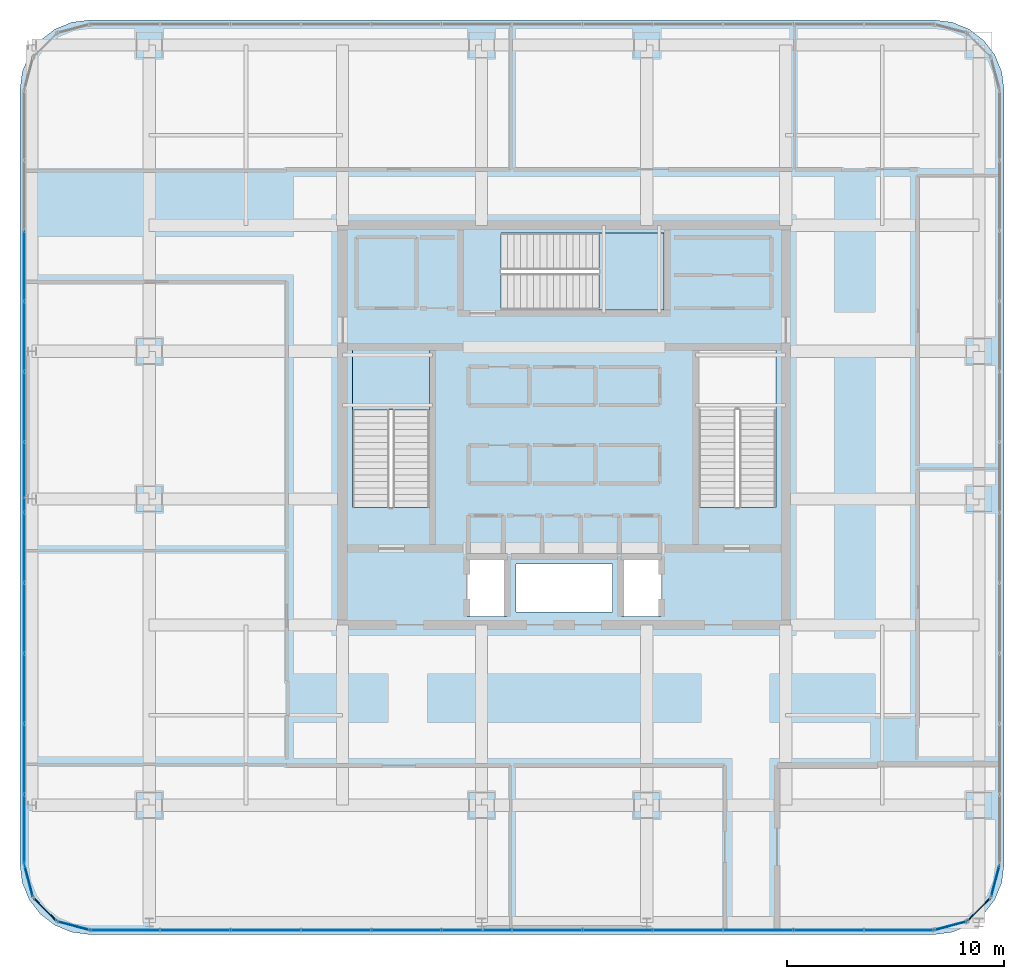
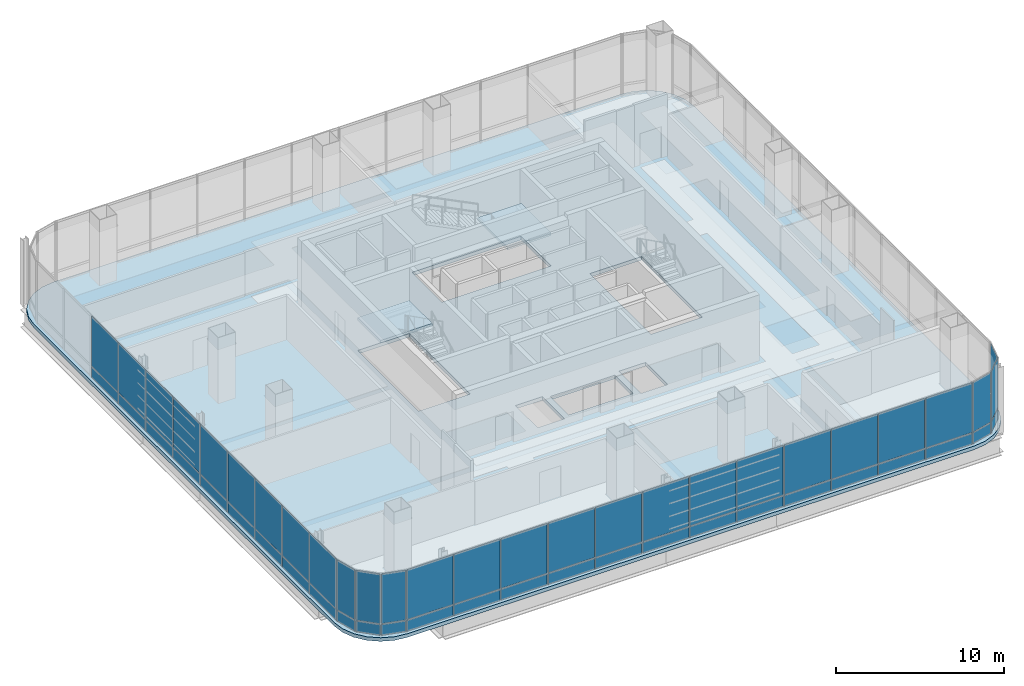
# One storey, part 34 of 45: 54 plates, 3 slabs, 10 elements without a shape of their own.
"""IFC4 building model written with IfcOpenShell, lengths in metres."""

from ifc_helpers import new_model, si_unit, direction, frame, origin, origin_2d, place, context, subcontext, project, spatial, polyline, rectangle, outline, extrude, material, layer, layer_set, type_object, element, aggregate, save


model = new_model("IFC4")

# Units and contexts
model_context = context("Model", 3, precision=1e-05, world=origin(), true_north=direction((0.0, 1.0)))
body_context = subcontext(model_context, "Body", "Model", "MODEL_VIEW")
ifc_project = project(units=[si_unit("LENGTHUNIT", "METRE"), si_unit("AREAUNIT", "SQUARE_METRE"), si_unit("VOLUMEUNIT", "CUBIC_METRE"), si_unit("PLANEANGLEUNIT", "RADIAN"), si_unit("MASSUNIT", "GRAM", prefix="KILO")], contexts=[model_context])

# Site, building, storey
site_placement = place(None, origin())
site = spatial("IfcSite", under=ifc_project, at=site_placement, CompositionType="ELEMENT")
building_placement = place(site_placement, origin())
building = spatial("IfcBuilding", under=site, at=building_placement, Name="Punatoya Terracotta Tower", CompositionType="ELEMENT")
storey_placement = place(building_placement, frame((0.0, 0.0, 339.0)))
storey = spatial("IfcBuildingStorey", under=building, at=storey_placement, Name="L80", CompositionType="ELEMENT", Elevation=339.0)

# Curtain wall, plates
ifc_material_1 = material(Name="Aluminium 6063-T6 + Double Low-E Glass", Category="aluminium")
curtain_wall_type = type_object("IfcCurtainWallType", Name="CW-OBS", PredefinedType="NOTDEFINED", material=ifc_material_1)
curtain_wall_1_placement = place(storey_placement, origin())
curtain_wall_1 = element("IfcCurtainWall", 1, at=curtain_wall_1_placement, inside=storey, type_object=curtain_wall_type, Name="L80 Curtain Wall CW-L80-S01-1", PredefinedType="NOTDEFINED")
ifc_material_2 = material(Name="Laminated Observation Low-Iron Glass", Category="glass")
ifc_layer_1 = layer(ifc_material_2, 0.0380859375)
ifc_layer_set_1 = layer_set([ifc_layer_1], Name="Laminated Observation Low-Iron Glass")
plate_type_1 = type_object("IfcPlateType", Name="PLT-GLZ-38", PredefinedType="CURTAIN_PANEL", material=ifc_layer_set_1)
plate_1_placement = place(storey_placement, frame((-20.21728515625, -23.25, 0.89013671875), z_axis=(0.0, 0.0, 1.0), x_axis=(1.0, 0.0, 0.0)))
plate_1 = element("IfcPlate", 2, at=plate_1_placement, type_object=plate_type_1, Name="CW-L80-S01-1 Vision Glass Panel 1", PredefinedType="CURTAIN_PANEL", context=body_context, shape_type="SweptSolid", body=[
    extrude(rectangle(XDim=3.154541015625, YDim=0.0380859375, at=origin_2d()), origin(), (0.0, 0.0, 1.0), 3.590087890625),
])
plate_2_placement = place(storey_placement, frame((-16.977783203125, -23.25, 0.89013671875), z_axis=(0.0, 0.0, 1.0), x_axis=(1.0, 0.0, 0.0)))
plate_2 = element("IfcPlate", 3, at=plate_2_placement, type_object=plate_type_1, Name="CW-L80-S01-1 Vision Glass Panel 2", PredefinedType="CURTAIN_PANEL", context=body_context, shape_type="SweptSolid", body=[
    extrude(rectangle(XDim=3.154541015625, YDim=0.0380859375, at=origin_2d()), origin(), (0.0, 0.0, 1.0), 3.590087890625),
])
plate_3_placement = place(storey_placement, frame((-13.73828125, -23.25, 0.89013671875), z_axis=(0.0, 0.0, 1.0), x_axis=(1.0, 0.0, 0.0)))
plate_3 = element("IfcPlate", 4, at=plate_3_placement, type_object=plate_type_1, Name="CW-L80-S01-1 Vision Glass Panel 3", PredefinedType="CURTAIN_PANEL", context=body_context, shape_type="SweptSolid", body=[
    extrude(rectangle(XDim=3.154541015625, YDim=0.0380859375, at=origin_2d()), origin(), (0.0, 0.0, 1.0), 3.590087890625),
])
plate_4_placement = place(storey_placement, frame((-10.498779296875, -23.25, 0.89013671875), z_axis=(0.0, 0.0, 1.0), x_axis=(1.0, 0.0, 0.0)))
plate_4 = element("IfcPlate", 5, at=plate_4_placement, type_object=plate_type_1, Name="CW-L80-S01-1 Vision Glass Panel 4", PredefinedType="CURTAIN_PANEL", context=body_context, shape_type="SweptSolid", body=[
    extrude(rectangle(XDim=3.154541015625, YDim=0.0380859375, at=origin_2d()), origin(), (0.0, 0.0, 1.0), 3.590087890625),
])
plate_5_placement = place(storey_placement, frame((-7.25927734375, -23.25, 0.89013671875), z_axis=(0.0, 0.0, 1.0), x_axis=(1.0, 0.0, 0.0)))
plate_5 = element("IfcPlate", 6, at=plate_5_placement, type_object=plate_type_1, Name="CW-L80-S01-1 Vision Glass Panel 5", PredefinedType="CURTAIN_PANEL", context=body_context, shape_type="SweptSolid", body=[
    extrude(rectangle(XDim=3.154541015625, YDim=0.0380859375, at=origin_2d()), origin(), (0.0, 0.0, 1.0), 3.590087890625),
])
plate_6_placement = place(storey_placement, frame((-4.019775390625, -23.25, 0.89013671875), z_axis=(0.0, 0.0, 1.0), x_axis=(1.0, 0.0, 0.0)))
plate_6 = element("IfcPlate", 7, at=plate_6_placement, type_object=plate_type_1, Name="CW-L80-S01-1 Vision Glass Panel 6", PredefinedType="CURTAIN_PANEL", context=body_context, shape_type="SweptSolid", body=[
    extrude(rectangle(XDim=3.154541015625, YDim=0.0380859375, at=origin_2d()), origin(), (0.0, 0.0, 1.0), 3.590087890625),
])
plate_7_placement = place(storey_placement, frame((-0.7802734375, -23.25, 0.89013671875), z_axis=(0.0, 0.0, 1.0), x_axis=(1.0, 0.0, 0.0)))
plate_7 = element("IfcPlate", 8, at=plate_7_placement, type_object=plate_type_1, Name="CW-L80-S01-1 Vision Glass Panel 7", PredefinedType="CURTAIN_PANEL", context=body_context, shape_type="SweptSolid", body=[
    extrude(rectangle(XDim=3.154541015625, YDim=0.0380859375, at=origin_2d()), origin(), (0.0, 0.0, 1.0), 3.590087890625),
])
plate_8_placement = place(storey_placement, frame((2.459228515625, -23.25, 0.89013671875), z_axis=(0.0, 0.0, 1.0), x_axis=(1.0, 0.0, 0.0)))
plate_8 = element("IfcPlate", 9, at=plate_8_placement, type_object=plate_type_1, Name="CW-L80-S01-1 Vision Glass Panel 8", PredefinedType="CURTAIN_PANEL", context=body_context, shape_type="SweptSolid", body=[
    extrude(rectangle(XDim=3.154541015625, YDim=0.0380859375, at=origin_2d()), origin(), (0.0, 0.0, 1.0), 3.590087890625),
])
plate_9_placement = place(storey_placement, frame((5.69873046875, -23.25, 0.89013671875), z_axis=(0.0, 0.0, 1.0), x_axis=(1.0, 0.0, 0.0)))
plate_9 = element("IfcPlate", 10, at=plate_9_placement, type_object=plate_type_1, Name="CW-L80-S01-1 Vision Glass Panel 9", PredefinedType="CURTAIN_PANEL", context=body_context, shape_type="SweptSolid", body=[
    extrude(rectangle(XDim=3.154541015625, YDim=0.0380859375, at=origin_2d()), origin(), (0.0, 0.0, 1.0), 3.590087890625),
])
plate_10_placement = place(storey_placement, frame((8.938232421875, -23.25, 0.89013671875), z_axis=(0.0, 0.0, 1.0), x_axis=(1.0, 0.0, 0.0)))
plate_10 = element("IfcPlate", 11, at=plate_10_placement, type_object=plate_type_1, Name="CW-L80-S01-1 Vision Glass Panel 10", PredefinedType="CURTAIN_PANEL", context=body_context, shape_type="SweptSolid", body=[
    extrude(rectangle(XDim=3.154541015625, YDim=0.0380859375, at=origin_2d()), origin(), (0.0, 0.0, 1.0), 3.590087890625),
])
plate_11_placement = place(storey_placement, frame((12.177734375, -23.25, 0.89013671875), z_axis=(0.0, 0.0, 1.0), x_axis=(1.0, 0.0, 0.0)))
plate_11 = element("IfcPlate", 12, at=plate_11_placement, type_object=plate_type_1, Name="CW-L80-S01-1 Vision Glass Panel 11", PredefinedType="CURTAIN_PANEL", context=body_context, shape_type="SweptSolid", body=[
    extrude(rectangle(XDim=3.154541015625, YDim=0.0380859375, at=origin_2d()), origin(), (0.0, 0.0, 1.0), 3.590087890625),
])
plate_12_placement = place(storey_placement, frame((15.417236328125, -23.25, 0.89013671875), z_axis=(0.0, 0.0, 1.0), x_axis=(1.0, 0.0, 0.0)))
plate_12 = element("IfcPlate", 13, at=plate_12_placement, type_object=plate_type_1, Name="CW-L80-S01-1 Vision Glass Panel 12", PredefinedType="CURTAIN_PANEL", context=body_context, shape_type="SweptSolid", body=[
    extrude(rectangle(XDim=3.154541015625, YDim=0.0380859375, at=origin_2d()), origin(), (0.0, 0.0, 1.0), 3.590087890625),
])

# Curtain wall, plate
curtain_wall_2_placement = place(storey_placement, origin())
curtain_wall_2 = element("IfcCurtainWall", 14, at=curtain_wall_2_placement, inside=storey, type_object=curtain_wall_type, Name="L80 Curtain Wall CW-L80-CRN02", PredefinedType="NOTDEFINED")
plate_13_placement = place(storey_placement, frame((17.79296875, -23.04833984375, 0.89013671875), z_axis=(0.0, 0.0, 1.0), x_axis=(0.966213877436, 0.257741620719, 0.0)))
plate_13 = element("IfcPlate", 15, at=plate_13_placement, type_object=plate_type_1, Name="CW-L80-CRN02 Vision Glass Panel 1", PredefinedType="CURTAIN_PANEL", context=body_context, shape_type="SweptSolid", body=[
    extrude(rectangle(XDim=1.47998046875, YDim=0.0380859375, at=origin_2d()), origin(), (0.0, 0.0, 1.0), 3.590087890625),
])

curtain_wall_3_placement = place(storey_placement, origin())
curtain_wall_3 = element("IfcCurtainWall", 16, at=curtain_wall_3_placement, inside=storey, type_object=curtain_wall_type, Name="L80 Curtain Wall CW-L80-CRN03", PredefinedType="NOTDEFINED")
plate_14_placement = place(storey_placement, frame((19.097900390625, -22.2978515625, 0.89013671875), z_axis=(0.0, 0.0, 1.0), x_axis=(0.707106781187, 0.707106781187, 0.0)))
plate_14 = element("IfcPlate", 17, at=plate_14_placement, type_object=plate_type_1, Name="CW-L80-CRN03 Vision Glass Panel 1", PredefinedType="CURTAIN_PANEL", context=body_context, shape_type="SweptSolid", body=[
    extrude(rectangle(XDim=1.467041015625, YDim=0.0380859375, at=origin_2d()), origin(), (0.0, 0.0, 1.0), 3.590087890625),
])

curtain_wall_4_placement = place(storey_placement, origin())
curtain_wall_4 = element("IfcCurtainWall", 18, at=curtain_wall_4_placement, inside=storey, type_object=curtain_wall_type, Name="L80 Curtain Wall CW-L80-CRN04", PredefinedType="NOTDEFINED")
plate_15_placement = place(storey_placement, frame((19.848388671875, -20.992919921875, 0.89013671875), z_axis=(0.0, 0.0, 1.0), x_axis=(0.257741620719, 0.966213877436, 0.0)))
plate_15 = element("IfcPlate", 19, at=plate_15_placement, type_object=plate_type_1, Name="CW-L80-CRN04 Vision Glass Panel 1", PredefinedType="CURTAIN_PANEL", context=body_context, shape_type="SweptSolid", body=[
    extrude(rectangle(XDim=1.47998046875, YDim=0.0380859375, at=origin_2d()), origin(), (0.0, 0.0, 1.0), 3.590087890625),
])

# Curtain wall, plates
curtain_wall_5_placement = place(storey_placement, origin())
curtain_wall_5 = element("IfcCurtainWall", 20, at=curtain_wall_5_placement, inside=storey, type_object=curtain_wall_type, Name="L80 Curtain Wall CW-L80-W13-1", PredefinedType="NOTDEFINED")
plate_16_placement = place(storey_placement, frame((-24.85009765625, 7.3291015625, 0.89013671875), z_axis=(0.0, 0.0, 1.0), x_axis=(0.0, -1.0, 0.0)))
plate_16 = element("IfcPlate", 21, at=plate_16_placement, type_object=plate_type_1, Name="CW-L80-W13-1 Vision Glass Panel 3", PredefinedType="CURTAIN_PANEL", context=body_context, shape_type="SweptSolid", body=[
    extrude(rectangle(XDim=3.158203125, YDim=0.0380859375, at=origin_2d()), origin(), (0.0, 0.0, 1.0), 3.590087890625),
])
plate_17_placement = place(storey_placement, frame((-24.85009765625, 4.086181640625, 0.89013671875), z_axis=(0.0, 0.0, 1.0), x_axis=(0.0, -1.0, 0.0)))
plate_17 = element("IfcPlate", 22, at=plate_17_placement, type_object=plate_type_1, Name="CW-L80-W13-1 Vision Glass Panel 4", PredefinedType="CURTAIN_PANEL", context=body_context, shape_type="SweptSolid", body=[
    extrude(rectangle(XDim=3.158203125, YDim=0.0380859375, at=origin_2d()), origin(), (0.0, 0.0, 1.0), 3.590087890625),
])
plate_18_placement = place(storey_placement, frame((-24.85009765625, 0.843017578125, 0.89013671875), z_axis=(0.0, 0.0, 1.0), x_axis=(0.0, -1.0, 0.0)))
plate_18 = element("IfcPlate", 23, at=plate_18_placement, type_object=plate_type_1, Name="CW-L80-W13-1 Vision Glass Panel 5", PredefinedType="CURTAIN_PANEL", context=body_context, shape_type="SweptSolid", body=[
    extrude(rectangle(XDim=3.158203125, YDim=0.0380859375, at=origin_2d()), origin(), (0.0, 0.0, 1.0), 3.590087890625),
])
plate_19_placement = place(storey_placement, frame((-24.85009765625, -2.39990234375, 0.89013671875), z_axis=(0.0, 0.0, 1.0), x_axis=(0.0, -1.0, 0.0)))
plate_19 = element("IfcPlate", 24, at=plate_19_placement, type_object=plate_type_1, Name="CW-L80-W13-1 Vision Glass Panel 6", PredefinedType="CURTAIN_PANEL", context=body_context, shape_type="SweptSolid", body=[
    extrude(rectangle(XDim=3.158203125, YDim=0.0380859375, at=origin_2d()), origin(), (0.0, 0.0, 1.0), 3.590087890625),
])
plate_20_placement = place(storey_placement, frame((-24.85009765625, -5.64306640625, 0.89013671875), z_axis=(0.0, 0.0, 1.0), x_axis=(0.0, -1.0, 0.0)))
plate_20 = element("IfcPlate", 25, at=plate_20_placement, type_object=plate_type_1, Name="CW-L80-W13-1 Vision Glass Panel 7", PredefinedType="CURTAIN_PANEL", context=body_context, shape_type="SweptSolid", body=[
    extrude(rectangle(XDim=3.158203125, YDim=0.0380859375, at=origin_2d()), origin(), (0.0, 0.0, 1.0), 3.590087890625),
])
plate_21_placement = place(storey_placement, frame((-24.85009765625, -8.885986328125, 0.89013671875), z_axis=(0.0, 0.0, 1.0), x_axis=(0.0, -1.0, 0.0)))
plate_21 = element("IfcPlate", 26, at=plate_21_placement, type_object=plate_type_1, Name="CW-L80-W13-1 Vision Glass Panel 8", PredefinedType="CURTAIN_PANEL", context=body_context, shape_type="SweptSolid", body=[
    extrude(rectangle(XDim=3.158203125, YDim=0.0380859375, at=origin_2d()), origin(), (0.0, 0.0, 1.0), 3.590087890625),
])
plate_22_placement = place(storey_placement, frame((-24.85009765625, -12.129150390625, 0.89013671875), z_axis=(0.0, 0.0, 1.0), x_axis=(0.0, -1.0, 0.0)))
plate_22 = element("IfcPlate", 27, at=plate_22_placement, type_object=plate_type_1, Name="CW-L80-W13-1 Vision Glass Panel 9", PredefinedType="CURTAIN_PANEL", context=body_context, shape_type="SweptSolid", body=[
    extrude(rectangle(XDim=3.158203125, YDim=0.0380859375, at=origin_2d()), origin(), (0.0, 0.0, 1.0), 3.590087890625),
])
plate_23_placement = place(storey_placement, frame((-24.85009765625, -15.372314453125, 0.89013671875), z_axis=(0.0, 0.0, 1.0), x_axis=(0.0, -1.0, 0.0)))
plate_23 = element("IfcPlate", 28, at=plate_23_placement, type_object=plate_type_1, Name="CW-L80-W13-1 Vision Glass Panel 10", PredefinedType="CURTAIN_PANEL", context=body_context, shape_type="SweptSolid", body=[
    extrude(rectangle(XDim=3.158203125, YDim=0.0380859375, at=origin_2d()), origin(), (0.0, 0.0, 1.0), 3.590087890625),
])
plate_24_placement = place(storey_placement, frame((-24.85009765625, -18.615478515625, 0.89013671875), z_axis=(0.0, 0.0, 1.0), x_axis=(0.0, -1.0, 0.0)))
plate_24 = element("IfcPlate", 29, at=plate_24_placement, type_object=plate_type_1, Name="CW-L80-W13-1 Vision Glass Panel 11", PredefinedType="CURTAIN_PANEL", context=body_context, shape_type="SweptSolid", body=[
    extrude(rectangle(XDim=3.158203125, YDim=0.0380859375, at=origin_2d()), origin(), (0.0, 0.0, 1.0), 3.590087890625),
])

# Curtain wall, plate
curtain_wall_6_placement = place(storey_placement, origin())
curtain_wall_6 = element("IfcCurtainWall", 30, at=curtain_wall_6_placement, inside=storey, type_object=curtain_wall_type, Name="L80 Curtain Wall CW-L80-CRN14", PredefinedType="NOTDEFINED")
plate_25_placement = place(storey_placement, frame((-24.648193359375, -20.992919921875, 0.89013671875), z_axis=(0.0, 0.0, 1.0), x_axis=(0.257741620719, -0.966213877436, 0.0)))
plate_25 = element("IfcPlate", 31, at=plate_25_placement, type_object=plate_type_1, Name="CW-L80-CRN14 Vision Glass Panel 1", PredefinedType="CURTAIN_PANEL", context=body_context, shape_type="SweptSolid", body=[
    extrude(rectangle(XDim=1.47998046875, YDim=0.0380859375, at=origin_2d()), origin(), (0.0, 0.0, 1.0), 3.590087890625),
])

curtain_wall_7_placement = place(storey_placement, origin())
curtain_wall_7 = element("IfcCurtainWall", 32, at=curtain_wall_7_placement, inside=storey, type_object=curtain_wall_type, Name="L80 Curtain Wall CW-L80-CRN15", PredefinedType="NOTDEFINED")
plate_26_placement = place(storey_placement, frame((-23.89794921875, -22.2978515625, 0.89013671875), z_axis=(0.0, 0.0, 1.0), x_axis=(0.707106781187, -0.707106781187, 0.0)))
plate_26 = element("IfcPlate", 33, at=plate_26_placement, type_object=plate_type_1, Name="CW-L80-CRN15 Vision Glass Panel 1", PredefinedType="CURTAIN_PANEL", context=body_context, shape_type="SweptSolid", body=[
    extrude(rectangle(XDim=1.467041015625, YDim=0.0380859375, at=origin_2d()), origin(), (0.0, 0.0, 1.0), 3.590087890625),
])

curtain_wall_8_placement = place(storey_placement, origin())
curtain_wall_8 = element("IfcCurtainWall", 34, at=curtain_wall_8_placement, inside=storey, type_object=curtain_wall_type, Name="L80 Curtain Wall CW-L80-CRN16", PredefinedType="NOTDEFINED")
plate_27_placement = place(storey_placement, frame((-22.593017578125, -23.04833984375, 0.89013671875), z_axis=(0.0, 0.0, 1.0), x_axis=(0.966213877436, -0.257741620719, 0.0)))
plate_27 = element("IfcPlate", 35, at=plate_27_placement, type_object=plate_type_1, Name="CW-L80-CRN16 Vision Glass Panel 1", PredefinedType="CURTAIN_PANEL", context=body_context, shape_type="SweptSolid", body=[
    extrude(rectangle(XDim=1.47998046875, YDim=0.0380859375, at=origin_2d()), origin(), (0.0, 0.0, 1.0), 3.590087890625),
])

# Plate
ifc_material_3 = material(Name="Insulated Terracotta-Backed Spandrel Panel", Category="masonry")
ifc_layer_2 = layer(ifc_material_3, 0.044921875)
ifc_layer_set_2 = layer_set([ifc_layer_2], Name="Insulated Terracotta-Backed Spandrel Panel")
plate_type_2 = type_object("IfcPlateType", Name="PLT-SPN-45", PredefinedType="CURTAIN_PANEL", material=ifc_layer_set_2)
plate_28_placement = place(storey_placement, frame((-20.21728515625, -23.25, 0.0400390625), z_axis=(0.0, 0.0, 1.0), x_axis=(1.0, 0.0, 0.0)))
plate_28 = element("IfcPlate", 36, at=plate_28_placement, type_object=plate_type_2, Name="CW-L80-S01-1 Terracotta Spandrel Panel 1", PredefinedType="CURTAIN_PANEL", context=body_context, shape_type="SweptSolid", body=[
    extrude(rectangle(XDim=3.154541015625, YDim=0.044921875, at=origin_2d()), origin(), (0.0, 0.0, 1.0), 0.77490234375),
])

plate_29_placement = place(storey_placement, frame((-16.977783203125, -23.25, 0.0400390625), z_axis=(0.0, 0.0, 1.0), x_axis=(1.0, 0.0, 0.0)))
plate_29 = element("IfcPlate", 37, at=plate_29_placement, type_object=plate_type_2, Name="CW-L80-S01-1 Terracotta Spandrel Panel 2", PredefinedType="CURTAIN_PANEL", context=body_context, shape_type="SweptSolid", body=[
    extrude(rectangle(XDim=3.154541015625, YDim=0.044921875, at=origin_2d()), origin(), (0.0, 0.0, 1.0), 0.77490234375),
])

plate_30_placement = place(storey_placement, frame((-13.73828125, -23.25, 0.0400390625), z_axis=(0.0, 0.0, 1.0), x_axis=(1.0, 0.0, 0.0)))
plate_30 = element("IfcPlate", 38, at=plate_30_placement, type_object=plate_type_2, Name="CW-L80-S01-1 Terracotta Spandrel Panel 3", PredefinedType="CURTAIN_PANEL", context=body_context, shape_type="SweptSolid", body=[
    extrude(rectangle(XDim=3.154541015625, YDim=0.044921875, at=origin_2d()), origin(), (0.0, 0.0, 1.0), 0.77490234375),
])

plate_31_placement = place(storey_placement, frame((-10.498779296875, -23.25, 0.0400390625), z_axis=(0.0, 0.0, 1.0), x_axis=(1.0, 0.0, 0.0)))
plate_31 = element("IfcPlate", 39, at=plate_31_placement, type_object=plate_type_2, Name="CW-L80-S01-1 Terracotta Spandrel Panel 4", PredefinedType="CURTAIN_PANEL", context=body_context, shape_type="SweptSolid", body=[
    extrude(rectangle(XDim=3.154541015625, YDim=0.044921875, at=origin_2d()), origin(), (0.0, 0.0, 1.0), 0.77490234375),
])

plate_32_placement = place(storey_placement, frame((-7.25927734375, -23.25, 0.0400390625), z_axis=(0.0, 0.0, 1.0), x_axis=(1.0, 0.0, 0.0)))
plate_32 = element("IfcPlate", 40, at=plate_32_placement, type_object=plate_type_2, Name="CW-L80-S01-1 Terracotta Spandrel Panel 5", PredefinedType="CURTAIN_PANEL", context=body_context, shape_type="SweptSolid", body=[
    extrude(rectangle(XDim=3.154541015625, YDim=0.044921875, at=origin_2d()), origin(), (0.0, 0.0, 1.0), 0.77490234375),
])

plate_33_placement = place(storey_placement, frame((-4.019775390625, -23.25, 0.0400390625), z_axis=(0.0, 0.0, 1.0), x_axis=(1.0, 0.0, 0.0)))
plate_33 = element("IfcPlate", 41, at=plate_33_placement, type_object=plate_type_2, Name="CW-L80-S01-1 Terracotta Spandrel Panel 6", PredefinedType="CURTAIN_PANEL", context=body_context, shape_type="SweptSolid", body=[
    extrude(rectangle(XDim=3.154541015625, YDim=0.044921875, at=origin_2d()), origin(), (0.0, 0.0, 1.0), 0.77490234375),
])

plate_34_placement = place(storey_placement, frame((-0.7802734375, -23.25, 0.0400390625), z_axis=(0.0, 0.0, 1.0), x_axis=(1.0, 0.0, 0.0)))
plate_34 = element("IfcPlate", 42, at=plate_34_placement, type_object=plate_type_2, Name="CW-L80-S01-1 Terracotta Spandrel Panel 7", PredefinedType="CURTAIN_PANEL", context=body_context, shape_type="SweptSolid", body=[
    extrude(rectangle(XDim=3.154541015625, YDim=0.044921875, at=origin_2d()), origin(), (0.0, 0.0, 1.0), 0.77490234375),
])

plate_35_placement = place(storey_placement, frame((2.459228515625, -23.25, 0.0400390625), z_axis=(0.0, 0.0, 1.0), x_axis=(1.0, 0.0, 0.0)))
plate_35 = element("IfcPlate", 43, at=plate_35_placement, type_object=plate_type_2, Name="CW-L80-S01-1 Terracotta Spandrel Panel 8", PredefinedType="CURTAIN_PANEL", context=body_context, shape_type="SweptSolid", body=[
    extrude(rectangle(XDim=3.154541015625, YDim=0.044921875, at=origin_2d()), origin(), (0.0, 0.0, 1.0), 0.77490234375),
])

plate_36_placement = place(storey_placement, frame((5.69873046875, -23.25, 0.0400390625), z_axis=(0.0, 0.0, 1.0), x_axis=(1.0, 0.0, 0.0)))
plate_36 = element("IfcPlate", 44, at=plate_36_placement, type_object=plate_type_2, Name="CW-L80-S01-1 Terracotta Spandrel Panel 9", PredefinedType="CURTAIN_PANEL", context=body_context, shape_type="SweptSolid", body=[
    extrude(rectangle(XDim=3.154541015625, YDim=0.044921875, at=origin_2d()), origin(), (0.0, 0.0, 1.0), 0.77490234375),
])

plate_37_placement = place(storey_placement, frame((8.938232421875, -23.25, 0.0400390625), z_axis=(0.0, 0.0, 1.0), x_axis=(1.0, 0.0, 0.0)))
plate_37 = element("IfcPlate", 45, at=plate_37_placement, type_object=plate_type_2, Name="CW-L80-S01-1 Terracotta Spandrel Panel 10", PredefinedType="CURTAIN_PANEL", context=body_context, shape_type="SweptSolid", body=[
    extrude(rectangle(XDim=3.154541015625, YDim=0.044921875, at=origin_2d()), origin(), (0.0, 0.0, 1.0), 0.77490234375),
])

plate_38_placement = place(storey_placement, frame((12.177734375, -23.25, 0.0400390625), z_axis=(0.0, 0.0, 1.0), x_axis=(1.0, 0.0, 0.0)))
plate_38 = element("IfcPlate", 46, at=plate_38_placement, type_object=plate_type_2, Name="CW-L80-S01-1 Terracotta Spandrel Panel 11", PredefinedType="CURTAIN_PANEL", context=body_context, shape_type="SweptSolid", body=[
    extrude(rectangle(XDim=3.154541015625, YDim=0.044921875, at=origin_2d()), origin(), (0.0, 0.0, 1.0), 0.77490234375),
])

plate_39_placement = place(storey_placement, frame((15.417236328125, -23.25, 0.0400390625), z_axis=(0.0, 0.0, 1.0), x_axis=(1.0, 0.0, 0.0)))
plate_39 = element("IfcPlate", 47, at=plate_39_placement, type_object=plate_type_2, Name="CW-L80-S01-1 Terracotta Spandrel Panel 12", PredefinedType="CURTAIN_PANEL", context=body_context, shape_type="SweptSolid", body=[
    extrude(rectangle(XDim=3.154541015625, YDim=0.044921875, at=origin_2d()), origin(), (0.0, 0.0, 1.0), 0.77490234375),
])

aggregate(curtain_wall_1, [plate_28, plate_1, plate_29, plate_2, plate_30, plate_3, plate_31, plate_4, plate_32, plate_5, plate_33, plate_6, plate_34, plate_7, plate_35, plate_8, plate_36, plate_9, plate_37, plate_10, plate_38, plate_11, plate_39, plate_12])

plate_40_placement = place(storey_placement, frame((17.79296875, -23.04833984375, 0.0400390625), z_axis=(0.0, 0.0, 1.0), x_axis=(0.966213877436, 0.257741620719, 0.0)))
plate_40 = element("IfcPlate", 48, at=plate_40_placement, type_object=plate_type_2, Name="CW-L80-CRN02 Terracotta Spandrel Panel 1", PredefinedType="CURTAIN_PANEL", context=body_context, shape_type="SweptSolid", body=[
    extrude(rectangle(XDim=1.47998046875, YDim=0.044921875, at=origin_2d()), origin(), (0.0, 0.0, 1.0), 0.77490234375),
])

aggregate(curtain_wall_2, [plate_40, plate_13])

plate_41_placement = place(storey_placement, frame((19.097900390625, -22.2978515625, 0.0400390625), z_axis=(0.0, 0.0, 1.0), x_axis=(0.707106781187, 0.707106781187, 0.0)))
plate_41 = element("IfcPlate", 49, at=plate_41_placement, type_object=plate_type_2, Name="CW-L80-CRN03 Terracotta Spandrel Panel 1", PredefinedType="CURTAIN_PANEL", context=body_context, shape_type="SweptSolid", body=[
    extrude(rectangle(XDim=1.467041015625, YDim=0.044921875, at=origin_2d()), origin(), (0.0, 0.0, 1.0), 0.77490234375),
])

aggregate(curtain_wall_3, [plate_41, plate_14])

plate_42_placement = place(storey_placement, frame((19.848388671875, -20.992919921875, 0.0400390625), z_axis=(0.0, 0.0, 1.0), x_axis=(0.257741620719, 0.966213877436, 0.0)))
plate_42 = element("IfcPlate", 50, at=plate_42_placement, type_object=plate_type_2, Name="CW-L80-CRN04 Terracotta Spandrel Panel 1", PredefinedType="CURTAIN_PANEL", context=body_context, shape_type="SweptSolid", body=[
    extrude(rectangle(XDim=1.47998046875, YDim=0.044921875, at=origin_2d()), origin(), (0.0, 0.0, 1.0), 0.77490234375),
])

aggregate(curtain_wall_4, [plate_42, plate_15])

plate_43_placement = place(storey_placement, frame((-24.85009765625, 7.3291015625, 0.0400390625), z_axis=(0.0, 0.0, 1.0), x_axis=(0.0, -1.0, 0.0)))
plate_43 = element("IfcPlate", 51, at=plate_43_placement, type_object=plate_type_2, Name="CW-L80-W13-1 Terracotta Spandrel Panel 3", PredefinedType="CURTAIN_PANEL", context=body_context, shape_type="SweptSolid", body=[
    extrude(rectangle(XDim=3.158203125, YDim=0.044921875, at=origin_2d()), origin(), (0.0, 0.0, 1.0), 0.77490234375),
])

plate_44_placement = place(storey_placement, frame((-24.85009765625, 4.086181640625, 0.0400390625), z_axis=(0.0, 0.0, 1.0), x_axis=(0.0, -1.0, 0.0)))
plate_44 = element("IfcPlate", 52, at=plate_44_placement, type_object=plate_type_2, Name="CW-L80-W13-1 Terracotta Spandrel Panel 4", PredefinedType="CURTAIN_PANEL", context=body_context, shape_type="SweptSolid", body=[
    extrude(rectangle(XDim=3.158203125, YDim=0.044921875, at=origin_2d()), origin(), (0.0, 0.0, 1.0), 0.77490234375),
])

plate_45_placement = place(storey_placement, frame((-24.85009765625, 0.843017578125, 0.0400390625), z_axis=(0.0, 0.0, 1.0), x_axis=(0.0, -1.0, 0.0)))
plate_45 = element("IfcPlate", 53, at=plate_45_placement, type_object=plate_type_2, Name="CW-L80-W13-1 Terracotta Spandrel Panel 5", PredefinedType="CURTAIN_PANEL", context=body_context, shape_type="SweptSolid", body=[
    extrude(rectangle(XDim=3.158203125, YDim=0.044921875, at=origin_2d()), origin(), (0.0, 0.0, 1.0), 0.77490234375),
])

plate_46_placement = place(storey_placement, frame((-24.85009765625, -2.39990234375, 0.0400390625), z_axis=(0.0, 0.0, 1.0), x_axis=(0.0, -1.0, 0.0)))
plate_46 = element("IfcPlate", 54, at=plate_46_placement, type_object=plate_type_2, Name="CW-L80-W13-1 Terracotta Spandrel Panel 6", PredefinedType="CURTAIN_PANEL", context=body_context, shape_type="SweptSolid", body=[
    extrude(rectangle(XDim=3.158203125, YDim=0.044921875, at=origin_2d()), origin(), (0.0, 0.0, 1.0), 0.77490234375),
])

plate_47_placement = place(storey_placement, frame((-24.85009765625, -5.64306640625, 0.0400390625), z_axis=(0.0, 0.0, 1.0), x_axis=(0.0, -1.0, 0.0)))
plate_47 = element("IfcPlate", 55, at=plate_47_placement, type_object=plate_type_2, Name="CW-L80-W13-1 Terracotta Spandrel Panel 7", PredefinedType="CURTAIN_PANEL", context=body_context, shape_type="SweptSolid", body=[
    extrude(rectangle(XDim=3.158203125, YDim=0.044921875, at=origin_2d()), origin(), (0.0, 0.0, 1.0), 0.77490234375),
])

plate_48_placement = place(storey_placement, frame((-24.85009765625, -8.885986328125, 0.0400390625), z_axis=(0.0, 0.0, 1.0), x_axis=(0.0, -1.0, 0.0)))
plate_48 = element("IfcPlate", 56, at=plate_48_placement, type_object=plate_type_2, Name="CW-L80-W13-1 Terracotta Spandrel Panel 8", PredefinedType="CURTAIN_PANEL", context=body_context, shape_type="SweptSolid", body=[
    extrude(rectangle(XDim=3.158203125, YDim=0.044921875, at=origin_2d()), origin(), (0.0, 0.0, 1.0), 0.77490234375),
])

plate_49_placement = place(storey_placement, frame((-24.85009765625, -12.129150390625, 0.0400390625), z_axis=(0.0, 0.0, 1.0), x_axis=(0.0, -1.0, 0.0)))
plate_49 = element("IfcPlate", 57, at=plate_49_placement, type_object=plate_type_2, Name="CW-L80-W13-1 Terracotta Spandrel Panel 9", PredefinedType="CURTAIN_PANEL", context=body_context, shape_type="SweptSolid", body=[
    extrude(rectangle(XDim=3.158203125, YDim=0.044921875, at=origin_2d()), origin(), (0.0, 0.0, 1.0), 0.77490234375),
])

plate_50_placement = place(storey_placement, frame((-24.85009765625, -15.372314453125, 0.0400390625), z_axis=(0.0, 0.0, 1.0), x_axis=(0.0, -1.0, 0.0)))
plate_50 = element("IfcPlate", 58, at=plate_50_placement, type_object=plate_type_2, Name="CW-L80-W13-1 Terracotta Spandrel Panel 10", PredefinedType="CURTAIN_PANEL", context=body_context, shape_type="SweptSolid", body=[
    extrude(rectangle(XDim=3.158203125, YDim=0.044921875, at=origin_2d()), origin(), (0.0, 0.0, 1.0), 0.77490234375),
])

plate_51_placement = place(storey_placement, frame((-24.85009765625, -18.615478515625, 0.0400390625), z_axis=(0.0, 0.0, 1.0), x_axis=(0.0, -1.0, 0.0)))
plate_51 = element("IfcPlate", 59, at=plate_51_placement, type_object=plate_type_2, Name="CW-L80-W13-1 Terracotta Spandrel Panel 11", PredefinedType="CURTAIN_PANEL", context=body_context, shape_type="SweptSolid", body=[
    extrude(rectangle(XDim=3.158203125, YDim=0.044921875, at=origin_2d()), origin(), (0.0, 0.0, 1.0), 0.77490234375),
])

aggregate(curtain_wall_5, [plate_43, plate_16, plate_44, plate_17, plate_45, plate_18, plate_46, plate_19, plate_47, plate_20, plate_48, plate_21, plate_49, plate_22, plate_50, plate_23, plate_51, plate_24])

plate_52_placement = place(storey_placement, frame((-24.648193359375, -20.992919921875, 0.0400390625), z_axis=(0.0, 0.0, 1.0), x_axis=(0.257741620719, -0.966213877436, 0.0)))
plate_52 = element("IfcPlate", 60, at=plate_52_placement, type_object=plate_type_2, Name="CW-L80-CRN14 Terracotta Spandrel Panel 1", PredefinedType="CURTAIN_PANEL", context=body_context, shape_type="SweptSolid", body=[
    extrude(rectangle(XDim=1.47998046875, YDim=0.044921875, at=origin_2d()), origin(), (0.0, 0.0, 1.0), 0.77490234375),
])

aggregate(curtain_wall_6, [plate_52, plate_25])

plate_53_placement = place(storey_placement, frame((-23.89794921875, -22.2978515625, 0.0400390625), z_axis=(0.0, 0.0, 1.0), x_axis=(0.707106781187, -0.707106781187, 0.0)))
plate_53 = element("IfcPlate", 61, at=plate_53_placement, type_object=plate_type_2, Name="CW-L80-CRN15 Terracotta Spandrel Panel 1", PredefinedType="CURTAIN_PANEL", context=body_context, shape_type="SweptSolid", body=[
    extrude(rectangle(XDim=1.467041015625, YDim=0.044921875, at=origin_2d()), origin(), (0.0, 0.0, 1.0), 0.77490234375),
])

aggregate(curtain_wall_7, [plate_53, plate_26])

plate_54_placement = place(storey_placement, frame((-22.593017578125, -23.04833984375, 0.0400390625), z_axis=(0.0, 0.0, 1.0), x_axis=(0.966213877436, -0.257741620719, 0.0)))
plate_54 = element("IfcPlate", 62, at=plate_54_placement, type_object=plate_type_2, Name="CW-L80-CRN16 Terracotta Spandrel Panel 1", PredefinedType="CURTAIN_PANEL", context=body_context, shape_type="SweptSolid", body=[
    extrude(rectangle(XDim=1.47998046875, YDim=0.044921875, at=origin_2d()), origin(), (0.0, 0.0, 1.0), 0.77490234375),
])

aggregate(curtain_wall_8, [plate_54, plate_27])

# Stair, slab
ifc_material_4 = material(Name="Concrete C40/50", Category="concrete")
stair_type_1 = type_object("IfcStairType", Name="STR-TER-1450", PredefinedType="HALF_TURN_STAIR", material=ifc_material_4)
stair_1_placement = place(storey_placement, origin())
stair_1 = element("IfcStair", 63, at=stair_1_placement, inside=storey, type_object=stair_type_1, Name="L80 Protected Core Exit Stair ST-3", PredefinedType="HALF_TURN_STAIR")
ifc_layer_3 = layer(ifc_material_4, 0.1650390625)
ifc_layer_set_3 = layer_set([ifc_layer_3], Name="Concrete C40/50")
slab_type_1 = type_object("IfcSlabType", Name="SLB-LND-165", PredefinedType="LANDING", material=ifc_layer_set_3)
slab_1_placement = place(storey_placement, frame((0.0, 0.0, 2.199951171875)))
slab_1 = element("IfcSlab", 64, at=slab_1_placement, type_object=slab_type_1, Name="ST-3 landing 1", PredefinedType="LANDING", context=body_context, shape_type="SweptSolid", body=[
    extrude(outline(polyline([(1.60009765625, 5.300048828125), (4.60009765625, 5.300048828125), (4.60009765625, 8.85009765625), (1.60009765625, 8.85009765625), (1.60009765625, 5.300048828125)])), origin(), (0.0, 0.0, 1.0), 0.199951171875),
])
aggregate(stair_1, [slab_1])

stair_type_2 = type_object("IfcStairType", Name="STR-CORE-1550", PredefinedType="HALF_TURN_STAIR", material=ifc_material_4)
stair_2_placement = place(storey_placement, origin())
stair_2 = element("IfcStair", 65, at=stair_2_placement, inside=storey, type_object=stair_type_2, Name="L80 Protected Core Exit Stair ST-1", PredefinedType="HALF_TURN_STAIR")
ifc_layer_4 = layer(ifc_material_4, 0.179931640625)
ifc_layer_set_4 = layer_set([ifc_layer_4], Name="Concrete C40/50")
slab_type_2 = type_object("IfcSlabType", Name="SLB-LND-180", PredefinedType="LANDING", material=ifc_layer_set_4)
slab_2_placement = place(storey_placement, frame((0.0, 0.0, 2.199951171875)))
slab_2 = element("IfcSlab", 66, at=slab_2_placement, type_object=slab_type_2, Name="ST-1 landing 1", PredefinedType="LANDING", context=body_context, shape_type="SweptSolid", body=[
    extrude(outline(polyline([(-6.199951171875, 0.699951171875), (-6.199951171875, 3.449951171875), (-9.75, 3.449951171875), (-9.75, 0.699951171875), (-6.199951171875, 0.699951171875)])), origin(), (0.0, 0.0, 1.0), 0.199951171875),
])
aggregate(stair_2, [slab_2])

# Slab
ifc_layer_5 = layer(ifc_material_4, 0.260009765625)
ifc_layer_set_5 = layer_set([ifc_layer_5], Name="Concrete C40/50")
slab_type_3 = type_object("IfcSlabType", Name="SLB-NCK-260", PredefinedType="FLOOR", material=ifc_layer_set_5)
slab_3_placement = place(storey_placement, frame((0.0, 0.0, -0.260009765625)))
element("IfcSlab", 67, at=slab_3_placement, inside=storey, type_object=slab_type_3, Name="L80 Structural Floor Slab", PredefinedType="FLOOR", context=body_context, shape_type="SweptSolid", body=[
    extrude(outline(polyline([(-21.85009765625, -23.449951171875), (-22.67822265625, -23.341064453125), (-23.449951171875, -23.021240234375), (-24.11279296875, -22.5126953125), (-24.621337890625, -21.85009765625), (-24.94091796875, -21.078125), (-25.050048828125, -20.25), (-25.050048828125, 15.449951171875), (-24.94091796875, 16.2783203125), (-24.621337890625, 17.050048828125), (-24.11279296875, 17.712646484375), (-23.449951171875, 18.22119140625), (-22.67822265625, 18.541015625), (-21.85009765625, 18.64990234375), (17.050048828125, 18.64990234375), (17.878173828125, 18.541015625), (18.64990234375, 18.22119140625), (19.312744140625, 17.712646484375), (19.8212890625, 17.050048828125), (20.14111328125, 16.2783203125), (20.25, 15.449951171875), (20.25, -20.25), (20.14111328125, -21.078125), (19.8212890625, -21.85009765625), (19.312744140625, -22.5126953125), (18.64990234375, -23.021240234375), (17.878173828125, -23.341064453125), (17.050048828125, -23.449951171875), (-21.85009765625, -23.449951171875)]), holes=[polyline([(-4.469970703125, -6.179931640625), (-4.469970703125, -8.820068359375), (-2.6298828125, -8.820068359375), (-2.6298828125, -6.179931640625), (-4.469970703125, -6.179931640625)]), polyline([(-2.219970703125, -6.405029296875), (-2.219970703125, -8.594970703125), (-0.02001953125, -8.594970703125), (0.02001953125, -8.594970703125), (2.219970703125, -8.594970703125), (2.219970703125, -6.405029296875), (0.02001953125, -6.405029296875), (-0.02001953125, -6.405029296875), (-2.219970703125, -6.405029296875)]), polyline([(4.469970703125, -6.179931640625), (2.6298828125, -6.179931640625), (2.6298828125, -8.820068359375), (4.469970703125, -8.820068359375), (4.469970703125, -6.179931640625)]), polyline([(-9.75, 3.449951171875), (-9.75, -3.79931640625), (-6.199951171875, -3.79931640625), (-6.199951171875, 3.449951171875), (-9.75, 3.449951171875)]), polyline([(6.199951171875, 3.449951171875), (6.199951171875, -3.79931640625), (9.75, -3.79931640625), (9.75, 3.449951171875), (6.199951171875, 3.449951171875)]), polyline([(4.60009765625, 8.85009765625), (-2.899169921875, 8.85009765625), (-2.899169921875, 5.300048828125), (4.60009765625, 5.300048828125), (4.60009765625, 8.85009765625)])]), origin(), (0.0, 0.0, 1.0), 0.260009765625),
])

save(model, "model.ifc")
